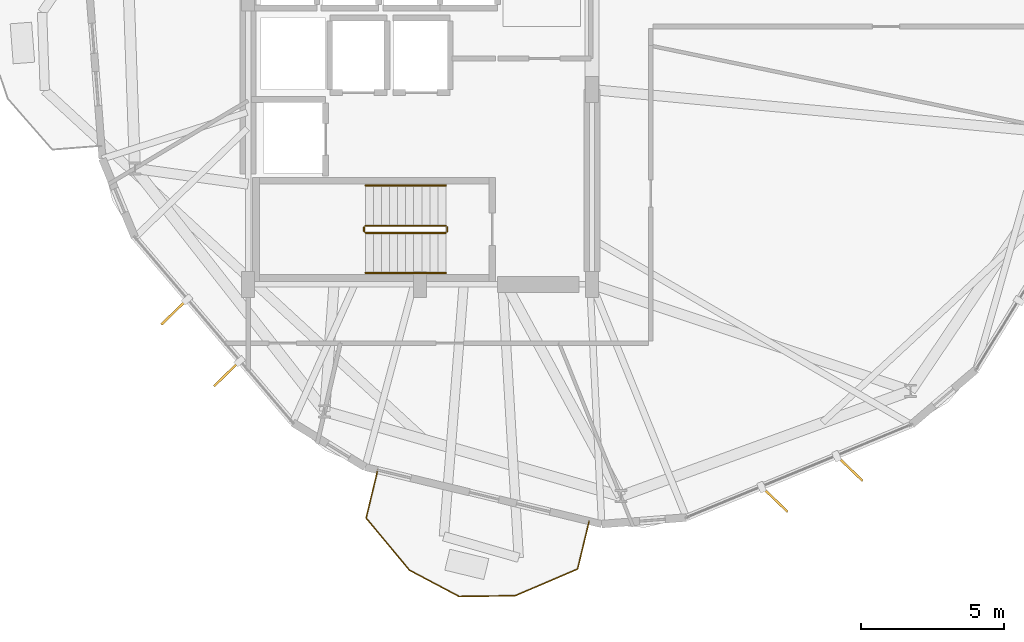
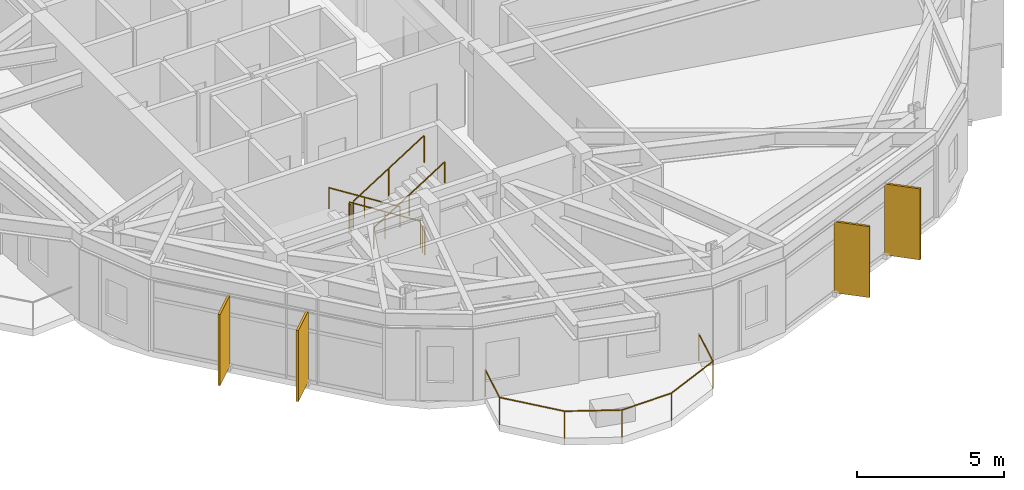
# One storey, part 19 of 21: 7 railings, 4 shading devices.
"""IFC4 building model written with IfcOpenShell, lengths in metres."""

from ifc_helpers import new_model, si_unit, direction, frame, origin, origin_2d, place, context, subcontext, project, spatial, rectangle, circle, extrude, material, layer, layer_set, type_object, element, save


model = new_model("IFC4")

# Units and contexts
model_context = context("Model", 3, precision=1e-05, world=origin(), true_north=direction((0.0, 1.0)))
body_context = subcontext(model_context, "Body", "Model", "MODEL_VIEW")
ifc_project = project(units=[si_unit("LENGTHUNIT", "METRE"), si_unit("AREAUNIT", "SQUARE_METRE"), si_unit("VOLUMEUNIT", "CUBIC_METRE"), si_unit("PLANEANGLEUNIT", "RADIAN"), si_unit("MASSUNIT", "GRAM", prefix="KILO")], contexts=[model_context])

# Site, building, storey
site_placement = place(None, origin())
site = spatial("IfcSite", under=ifc_project, at=site_placement, CompositionType="ELEMENT")
building_placement = place(site_placement, origin())
building = spatial("IfcBuilding", under=site, at=building_placement, Name="Soratama Intermodal Tower", CompositionType="ELEMENT")
storey_placement = place(building_placement, frame((0.0, 0.0, 114.699951171875)))
storey = spatial("IfcBuildingStorey", under=building, at=storey_placement, Name="L27", CompositionType="ELEMENT", Elevation=114.699951171875)

# Railings
ifc_material_1 = material(Name="Laminated glass and stainless steel balustrade", Category="steel")
railing_type_1 = type_object("IfcRailingType", Name="RL-BAL-1150", PredefinedType="BALUSTRADE", material=ifc_material_1)
railing_1_placement = place(storey_placement, frame((44.50048828125, 6.741943359375, 0.0)))
element("IfcRailing", 1, at=railing_1_placement, inside=storey, type_object=railing_type_1, Name="L27 Balcony Balustrade 3", PredefinedType="BALUSTRADE", context=body_context, shape_type="SweptSolid", body=[
    extrude(circle(Radius=0.02392578125, at=origin_2d()), frame((0.0, 0.0, 1.1259765625), z_axis=(-0.234376860673, -0.972145815802, 0.0), x_axis=(0.972145815802, -0.234376860673, 0.0)), (0.0, 0.0, 1.0), 1.7197265625),
    extrude(circle(Radius=0.02392578125, at=origin_2d()), frame((-0.403076171875, -1.671875, 1.1259765625), z_axis=(-0.91943284607, -0.393247049026, 0.0), x_axis=(0.393247049026, -0.91943284607, 0.0)), (0.0, 0.0, 1.0), 2.3671875),
    extrude(circle(Radius=0.02392578125, at=origin_2d()), frame((-2.57958984375, -2.602783203125, 1.1259765625), z_axis=(-0.999909386445, -0.013461756886, 0.0), x_axis=(0.013461756886, -0.999909386445, 0.0)), (0.0, 0.0, 1.0), 1.958740234375),
    extrude(circle(Radius=0.02392578125, at=origin_2d()), frame((-4.5380859375, -2.629150390625, 1.1259765625), z_axis=(-0.883842483693, 0.467784634227, 0.0), x_axis=(-0.467784634227, -0.883842483693, 0.0)), (0.0, 0.0, 1.0), 1.958740234375),
    extrude(circle(Radius=0.02392578125, at=origin_2d()), frame((-6.269287109375, -1.712890625, 1.1259765625), z_axis=(-0.639138913088, 0.769091314329, 0.0), x_axis=(-0.769091314329, -0.639138913088, 0.0)), (0.0, 0.0, 1.0), 2.3671875),
    extrude(circle(Radius=0.02392578125, at=origin_2d()), frame((-7.7822265625, 0.107666015625, 1.1259765625), z_axis=(0.234478658752, 0.97212126743, 0.0), x_axis=(-0.97212126743, 0.234478658752, 0.0)), (0.0, 0.0, 1.0), 1.719970703125),
    extrude(circle(Radius=0.02099609375, at=origin_2d()), origin(), (0.0, 0.0, 1.0), 1.101806640625),
    extrude(circle(Radius=0.02099609375, at=origin_2d()), frame((-0.403076171875, -1.671875, 0.0)), (0.0, 0.0, 1.0), 1.101806640625),
    extrude(circle(Radius=0.02099609375, at=origin_2d()), frame((-2.57958984375, -2.602783203125, 0.0)), (0.0, 0.0, 1.0), 1.101806640625),
    extrude(circle(Radius=0.02099609375, at=origin_2d()), frame((-4.5380859375, -2.629150390625, 0.0)), (0.0, 0.0, 1.0), 1.101806640625),
    extrude(circle(Radius=0.02099609375, at=origin_2d()), frame((-6.269287109375, -1.712890625, 0.0)), (0.0, 0.0, 1.0), 1.101806640625),
    extrude(circle(Radius=0.02099609375, at=origin_2d()), frame((-7.7822265625, 0.107666015625, 0.0)), (0.0, 0.0, 1.0), 1.101806640625),
    extrude(circle(Radius=0.02099609375, at=origin_2d()), frame((-7.37890625, 1.77978515625, 0.0)), (0.0, 0.0, 1.0), 1.101806640625),
])
ifc_material_2 = material(Name="Painted steel stair guardrail", Category="steel")
railing_type_2 = type_object("IfcRailingType", Name="RL-STAIR-GUARD", PredefinedType="GUARDRAIL", material=ifc_material_2)
railing_2_placement = place(storey_placement, frame((39.5, 17.050048828125, 0.17724609375)))
element("IfcRailing", 2, at=railing_2_placement, inside=storey, type_object=railing_type_2, Name="L27 ST-1 stair guard 1", PredefinedType="GUARDRAIL", context=body_context, shape_type="SweptSolid", body=[
    extrude(circle(Radius=0.02392578125, at=origin_2d()), frame((0.0, 0.0, 1.1259765625), z_axis=(-0.844908973607, 0.0, 0.534910110503), x_axis=(0.0, -1.0, 0.0)), (0.0, 0.0, 1.0), 3.31396484375),
    extrude(circle(Radius=0.02099609375, at=origin_2d()), origin(), (0.0, 0.0, 1.0), 1.101806640625),
    extrude(circle(Radius=0.02099609375, at=origin_2d()), frame((-1.39990234375, 0.0, 0.88623046875)), (0.0, 0.0, 1.0), 1.101806640625),
    extrude(circle(Radius=0.02099609375, at=origin_2d()), frame((-2.800048828125, 0.0, 1.772705078125)), (0.0, 0.0, 1.0), 1.101806640625),
])
railing_3_placement = place(storey_placement, frame((36.64990234375, 17.0, 1.949951171875)))
element("IfcRailing", 3, at=railing_3_placement, inside=storey, type_object=railing_type_2, Name="L27 ST-1 stair guard 2", PredefinedType="GUARDRAIL", context=body_context, shape_type="SweptSolid", body=[
    extrude(circle(Radius=0.02392578125, at=origin_2d()), frame((0.0, 0.0, 1.1259765625), z_axis=(0.0, -1.0, 0.0), x_axis=(1.0, 0.0, 0.0)), (0.0, 0.0, 1.0), 0.14990234375),
    extrude(circle(Radius=0.02099609375, at=origin_2d()), origin(), (0.0, 0.0, 1.0), 1.101806640625),
    extrude(circle(Radius=0.02099609375, at=origin_2d()), frame((0.0, -0.14990234375, 0.0)), (0.0, 0.0, 1.0), 1.101806640625),
])
railing_4_placement = place(storey_placement, frame((36.699951171875, 16.800048828125, 2.12744140625)))
element("IfcRailing", 4, at=railing_4_placement, inside=storey, type_object=railing_type_2, Name="L27 ST-1 stair guard 3", PredefinedType="GUARDRAIL", context=body_context, shape_type="SweptSolid", body=[
    extrude(circle(Radius=0.02392578125, at=origin_2d()), frame((0.0, 0.0, 1.1259765625), z_axis=(0.844908973607, 0.0, 0.534910110503), x_axis=(0.0, 1.0, 0.0)), (0.0, 0.0, 1.0), 3.31396484375),
    extrude(circle(Radius=0.02099609375, at=origin_2d()), origin(), (0.0, 0.0, 1.0), 1.101806640625),
    extrude(circle(Radius=0.02099609375, at=origin_2d()), frame((1.39990234375, 0.0, 0.88623046875)), (0.0, 0.0, 1.0), 1.101806640625),
    extrude(circle(Radius=0.02099609375, at=origin_2d()), frame((2.800048828125, 0.0, 1.772705078125)), (0.0, 0.0, 1.0), 1.101806640625),
])
railing_5_placement = place(storey_placement, frame((39.550048828125, 17.0, 0.0)))
element("IfcRailing", 5, at=railing_5_placement, inside=storey, type_object=railing_type_2, Name="L27 ST-1 stair guard 4", PredefinedType="GUARDRAIL", context=body_context, shape_type="SweptSolid", body=[
    extrude(circle(Radius=0.02392578125, at=origin_2d()), frame((0.0, 0.0, 1.1259765625), z_axis=(0.0, -1.0, 0.0), x_axis=(1.0, 0.0, 0.0)), (0.0, 0.0, 1.0), 0.14990234375),
    extrude(circle(Radius=0.02099609375, at=origin_2d()), origin(), (0.0, 0.0, 1.0), 1.101806640625),
    extrude(circle(Radius=0.02099609375, at=origin_2d()), frame((0.0, -0.14990234375, 0.0)), (0.0, 0.0, 1.0), 1.101806640625),
])
ifc_material_3 = material(Name="Brushed stainless steel handrail", Category="steel")
railing_type_3 = type_object("IfcRailingType", Name="RL-STAIR-HAND", PredefinedType="HANDRAIL", material=ifc_material_3)
railing_6_placement = place(storey_placement, frame((39.5, 18.449951171875, 0.17724609375)))
element("IfcRailing", 6, at=railing_6_placement, inside=storey, type_object=railing_type_3, Name="L27 ST-1 stair handrail 1", PredefinedType="HANDRAIL", context=body_context, shape_type="SweptSolid", body=[
    extrude(circle(Radius=0.02392578125, at=origin_2d()), frame((0.0, 0.0, 0.8759765625), z_axis=(-0.844908973607, 0.0, 0.534910110503), x_axis=(0.0, -1.0, 0.0)), (0.0, 0.0, 1.0), 3.31396484375),
    extrude(circle(Radius=0.02099609375, at=origin_2d()), origin(), (0.0, 0.0, 1.0), 0.851806640625),
    extrude(circle(Radius=0.02099609375, at=origin_2d()), frame((-1.39990234375, 0.0, 0.88623046875)), (0.0, 0.0, 1.0), 0.851806640625),
    extrude(circle(Radius=0.02099609375, at=origin_2d()), frame((-2.800048828125, 0.0, 1.772705078125)), (0.0, 0.0, 1.0), 0.851806640625),
])
railing_7_placement = place(storey_placement, frame((36.699951171875, 15.39990234375, 2.12744140625)))
element("IfcRailing", 7, at=railing_7_placement, inside=storey, type_object=railing_type_3, Name="L27 ST-1 stair handrail 2", PredefinedType="HANDRAIL", context=body_context, shape_type="SweptSolid", body=[
    extrude(circle(Radius=0.02392578125, at=origin_2d()), frame((0.0, 0.0, 0.8759765625), z_axis=(0.844908973607, 0.0, 0.534910110503), x_axis=(0.0, 1.0, 0.0)), (0.0, 0.0, 1.0), 3.31396484375),
    extrude(circle(Radius=0.02099609375, at=origin_2d()), origin(), (0.0, 0.0, 1.0), 0.851806640625),
    extrude(circle(Radius=0.02099609375, at=origin_2d()), frame((1.39990234375, 0.0, 0.88623046875)), (0.0, 0.0, 1.0), 0.851806640625),
    extrude(circle(Radius=0.02099609375, at=origin_2d()), frame((2.800048828125, 0.0, 1.772705078125)), (0.0, 0.0, 1.0), 0.851806640625),
])

# Shading devices
ifc_material_4 = material(Name="Champagne anodised aluminium solar fin", Category="aluminium")
ifc_layer = layer(ifc_material_4, 0.080078125)
ifc_layer_set = layer_set([ifc_layer], Name="Champagne anodised aluminium solar fin")
shading_device_type = type_object("IfcShadingDeviceType", Name="SH-FIN-1250", PredefinedType="USERDEFINED", material=ifc_layer_set)
for number, where, z_axis, x_axis, name in (
    (8, (30.02197265625, 14.03857421875, 0.02001953125), (0.0, 0.0, 1.0), (-0.717032274995, -0.697039967731, 0.0), "L27 Solar Fin F06-1"),
    (9, (31.85791015625, 11.884521484375, 0.02001953125), (0.0, 0.0, 1.0), (-0.717032274995, -0.697039967731, 0.0), "L27 Solar Fin F06-2"),
    (10, (50.976806640625, 7.49951171875, 0.02001953125), (0.0, 0.0, 1.0), (0.721035021845, -0.692898619766, 0.0), "L27 Solar Fin F08-1"),
    (11, (53.5927734375, 8.580078125, 0.02001953125), (0.0, 0.0, 1.0), (0.721035021845, -0.692898619766, 0.0), "L27 Solar Fin F08-2"),
):
    element("IfcShadingDevice", number, at=place(storey_placement, frame(where, z_axis=z_axis, x_axis=x_axis)), inside=storey, type_object=shading_device_type, Name=name, ObjectType="FIN", PredefinedType="USERDEFINED", context=body_context, shape_type="SweptSolid", body=[
        extrude(rectangle(XDim=1.25, YDim=0.080078125, at=origin_2d()), origin(), (0.0, 0.0, 1.0), 2.958984375),
    ])

save(model, "model.ifc")
